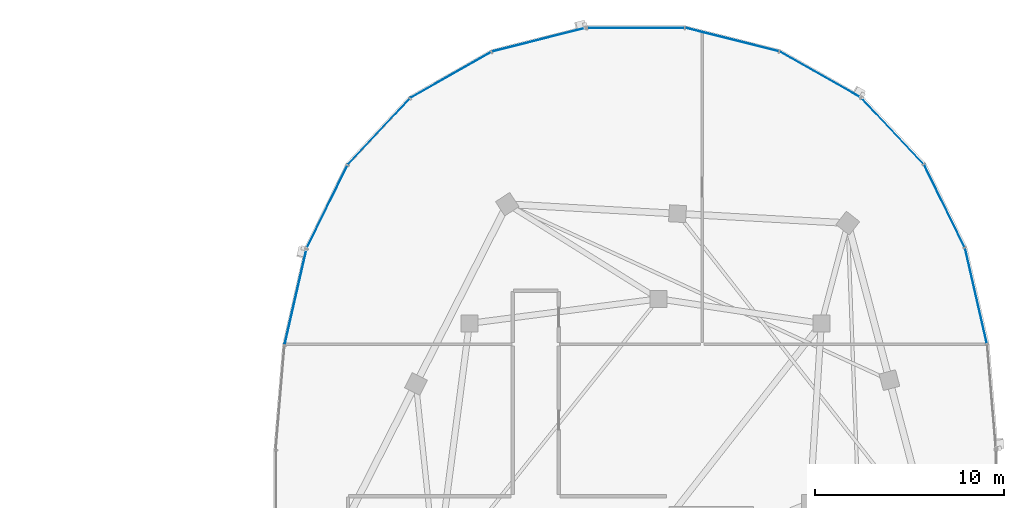
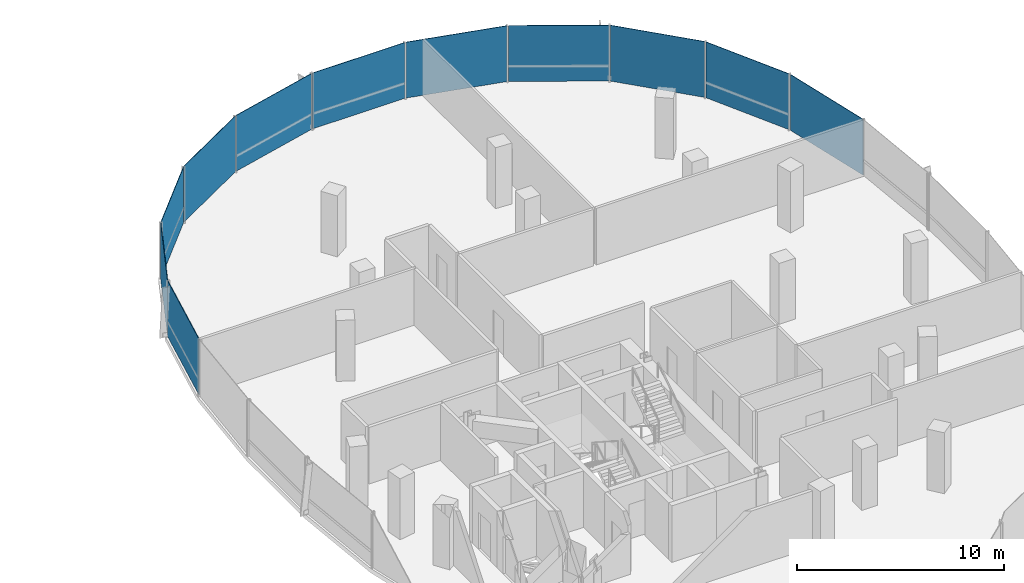
# One storey, part 14 of 25: 11 plates, 2 elements without a shape of their own.
"""IFC4 building model written with IfcOpenShell, lengths in metres."""

from ifc_helpers import new_model, si_unit, direction, frame, origin, origin_2d, place, context, subcontext, project, spatial, rectangle, extrude, material, layer, layer_set, type_object, element, aggregate, save


model = new_model("IFC4")

# Units and contexts
model_context = context("Model", 3, precision=1e-05, world=origin(), true_north=direction((0.0, 1.0)))
body_context = subcontext(model_context, "Body", "Model", "MODEL_VIEW")
ifc_project = project(units=[si_unit("LENGTHUNIT", "METRE"), si_unit("AREAUNIT", "SQUARE_METRE"), si_unit("VOLUMEUNIT", "CUBIC_METRE"), si_unit("PLANEANGLEUNIT", "RADIAN"), si_unit("MASSUNIT", "GRAM", prefix="KILO"), si_unit("THERMODYNAMICTEMPERATUREUNIT", "KELVIN"), si_unit("POWERUNIT", "WATT")], contexts=[model_context])

# Site, building, storey
site_placement = place(None, origin())
site = spatial("IfcSite", under=ifc_project, at=site_placement, CompositionType="ELEMENT")
building_placement = place(site_placement, origin())
building = spatial("IfcBuilding", under=site, at=building_placement, Name="Cundina Bronze Exchange", CompositionType="ELEMENT")
storey_placement = place(building_placement, frame((0.0, 0.0, 206.199951171875)))
storey = spatial("IfcBuildingStorey", under=building, at=storey_placement, Name="L54", CompositionType="ELEMENT", Elevation=206.199951171875)

# Curtain wall, plates
ifc_material_1 = material(Name="Anodised Bronze Aluminium 6063-T6", Category="aluminium")
curtain_wall_type = type_object("IfcCurtainWallType", Name="CWS-UPP-OFF", PredefinedType="NOTDEFINED", material=ifc_material_1)
curtain_wall_1_placement = place(storey_placement, origin())
curtain_wall_1 = element("IfcCurtainWall", 1, at=curtain_wall_1_placement, inside=storey, type_object=curtain_wall_type, Name="L54 CW-05 Curtain Wall Run CWR-L54-E1", PredefinedType="NOTDEFINED")
ifc_material_2 = material(Name="Heat-Strengthened Solar-Control Bronze Safety Glass 28mm", Category="glass")
ifc_layer_1 = layer(ifc_material_2, 0.028076171875, Name="Heat-Strengthened Solar-Control Bronze Safety Glass 28mm", Category="glass")
ifc_layer_set_1 = layer_set([ifc_layer_1], Name="Heat-Strengthened Solar-Control Bronze Safety Glass 28mm")
plate_type_1 = type_object("IfcPlateType", Name="PLT-GLZ-VIS28", PredefinedType="CURTAIN_PANEL", material=ifc_layer_set_1)
plate_1_placement = place(storey_placement, frame((49.98388671875, 10.92578125, 0.02001953125), z_axis=(0.0, 0.0, 1.0), x_axis=(-0.223284141459, 0.974753400698, 0.0)))
plate_1 = element("IfcPlate", 2, at=plate_1_placement, type_object=plate_type_1, Name="CW-05 Glazed Panel 2", PredefinedType="CURTAIN_PANEL", context=body_context, shape_type="SweptSolid", body=[
    extrude(rectangle(XDim=5.167724609375, YDim=0.028076171875, at=origin_2d()), origin(), (0.0, 0.0, 1.0), 3.300048828125),
])
plate_2_placement = place(storey_placement, frame((48.314697265625, 15.686767578125, 0.02001953125), z_axis=(0.0, 0.0, 1.0), x_axis=(-0.440503330345, 0.897750976582, 0.0)))
plate_2 = element("IfcPlate", 3, at=plate_2_placement, type_object=plate_type_1, Name="CW-05 Glazed Panel 3", PredefinedType="CURTAIN_PANEL", context=body_context, shape_type="SweptSolid", body=[
    extrude(rectangle(XDim=4.863525390625, YDim=0.028076171875, at=origin_2d()), origin(), (0.0, 0.0, 1.0), 3.300048828125),
])
plate_3_placement = place(storey_placement, frame((45.5791015625, 19.6552734375, 0.02001953125), z_axis=(0.0, 0.0, 1.0), x_axis=(-0.684343512797, 0.72915976061, 0.0)))
plate_3 = element("IfcPlate", 4, at=plate_3_placement, type_object=plate_type_1, Name="CW-05 Glazed Panel 4", PredefinedType="CURTAIN_PANEL", context=body_context, shape_type="SweptSolid", body=[
    extrude(rectangle(XDim=4.773193359375, YDim=0.028076171875, at=origin_2d()), origin(), (0.0, 0.0, 1.0), 3.300048828125),
])
plate_4_placement = place(storey_placement, frame((41.769287109375, 22.64111328125, 0.02001953125), z_axis=(0.0, 0.0, 1.0), x_axis=(-0.869572506985, 0.493805280547, 0.0)))
plate_4 = element("IfcPlate", 5, at=plate_4_placement, type_object=plate_type_1, Name="CW-05 Glazed Panel 5", PredefinedType="CURTAIN_PANEL", context=body_context, shape_type="SweptSolid", body=[
    extrude(rectangle(XDim=4.907958984375, YDim=0.028076171875, at=origin_2d()), origin(), (0.0, 0.0, 1.0), 3.300048828125),
])
plate_5_placement = place(storey_placement, frame((32.0, 25.125, 0.02001953125), z_axis=(0.0, 0.0, 1.0), x_axis=(-1.0, 0.0, 0.0)))
plate_5 = element("IfcPlate", 6, at=plate_5_placement, type_object=plate_type_1, Name="CW-05 Glazed Panel 7", PredefinedType="CURTAIN_PANEL", context=body_context, shape_type="SweptSolid", body=[
    extrude(rectangle(XDim=5.16796875, YDim=0.028076171875, at=origin_2d()), origin(), (0.0, 0.0, 1.0), 3.300048828125),
])

curtain_wall_2_placement = place(storey_placement, origin())
curtain_wall_2 = element("IfcCurtainWall", 7, at=curtain_wall_2_placement, inside=storey, type_object=curtain_wall_type, Name="L54 CW-05 Curtain Wall Run CWR-L54-E2", PredefinedType="NOTDEFINED")
plate_6_placement = place(storey_placement, frame((26.88720703125, 24.49609375, 0.02001953125), z_axis=(0.0, 0.0, 1.0), x_axis=(-0.969731542251, -0.244173577528, 0.0)))
plate_6 = element("IfcPlate", 8, at=plate_6_placement, type_object=plate_type_1, Name="CW-05 Glazed Panel 1", PredefinedType="CURTAIN_PANEL", context=body_context, shape_type="SweptSolid", body=[
    extrude(rectangle(XDim=5.0908203125, YDim=0.028076171875, at=origin_2d()), origin(), (0.0, 0.0, 1.0), 3.300048828125),
])
plate_7_placement = place(storey_placement, frame((22.230712890625, 22.64111328125, 0.02001953125), z_axis=(0.0, 0.0, 1.0), x_axis=(-0.869572506985, -0.493805280547, 0.0)))
plate_7 = element("IfcPlate", 9, at=plate_7_placement, type_object=plate_type_1, Name="CW-05 Glazed Panel 2", PredefinedType="CURTAIN_PANEL", context=body_context, shape_type="SweptSolid", body=[
    extrude(rectangle(XDim=4.907958984375, YDim=0.028076171875, at=origin_2d()), origin(), (0.0, 0.0, 1.0), 3.300048828125),
])
plate_8_placement = place(storey_placement, frame((18.4208984375, 19.6552734375, 0.02001953125), z_axis=(0.0, 0.0, 1.0), x_axis=(-0.684343512797, -0.72915976061, 0.0)))
plate_8 = element("IfcPlate", 10, at=plate_8_placement, type_object=plate_type_1, Name="CW-05 Glazed Panel 3", PredefinedType="CURTAIN_PANEL", context=body_context, shape_type="SweptSolid", body=[
    extrude(rectangle(XDim=4.773193359375, YDim=0.028076171875, at=origin_2d()), origin(), (0.0, 0.0, 1.0), 3.300048828125),
])
plate_9_placement = place(storey_placement, frame((15.685302734375, 15.686767578125, 0.02001953125), z_axis=(0.0, 0.0, 1.0), x_axis=(-0.440503330345, -0.897750976582, 0.0)))
plate_9 = element("IfcPlate", 11, at=plate_9_placement, type_object=plate_type_1, Name="CW-05 Glazed Panel 4", PredefinedType="CURTAIN_PANEL", context=body_context, shape_type="SweptSolid", body=[
    extrude(rectangle(XDim=4.863525390625, YDim=0.028076171875, at=origin_2d()), origin(), (0.0, 0.0, 1.0), 3.300048828125),
])

# Plate
ifc_material_3 = material(Name="Dark Bronze Spandrel Glass Panel 32mm", Category="glass")
ifc_layer_2 = layer(ifc_material_3, 0.031982421875, Name="Dark Bronze Spandrel Glass Panel 32mm", Category="glass")
ifc_layer_set_2 = layer_set([ifc_layer_2], Name="Dark Bronze Spandrel Glass Panel 32mm")
plate_type_2 = type_object("IfcPlateType", Name="PLT-SPN-BRZ32", PredefinedType="CURTAIN_PANEL", material=ifc_layer_set_2)
plate_10_placement = place(storey_placement, frame((37.11279296875, 24.49609375, 0.02001953125), z_axis=(0.0, 0.0, 1.0), x_axis=(-0.969731542251, 0.244173577528, 0.0)))
plate_10 = element("IfcPlate", 12, at=plate_10_placement, type_object=plate_type_2, Name="CW-05 Glazed Panel 6", PredefinedType="CURTAIN_PANEL", context=body_context, shape_type="SweptSolid", body=[
    extrude(rectangle(XDim=5.0908203125, YDim=0.031982421875, at=origin_2d()), origin(), (0.0, 0.0, 1.0), 3.300048828125),
])

aggregate(curtain_wall_1, [plate_1, plate_2, plate_3, plate_4, plate_10, plate_5])

plate_11_placement = place(storey_placement, frame((14.01611328125, 10.92578125, 0.02001953125), z_axis=(0.0, 0.0, 1.0), x_axis=(-0.223284141459, -0.974753400698, 0.0)))
plate_11 = element("IfcPlate", 13, at=plate_11_placement, type_object=plate_type_2, Name="CW-05 Glazed Panel 5", PredefinedType="CURTAIN_PANEL", context=body_context, shape_type="SweptSolid", body=[
    extrude(rectangle(XDim=5.167724609375, YDim=0.031982421875, at=origin_2d()), origin(), (0.0, 0.0, 1.0), 3.300048828125),
])

aggregate(curtain_wall_2, [plate_6, plate_7, plate_8, plate_9, plate_11])

save(model, "model.ifc")
